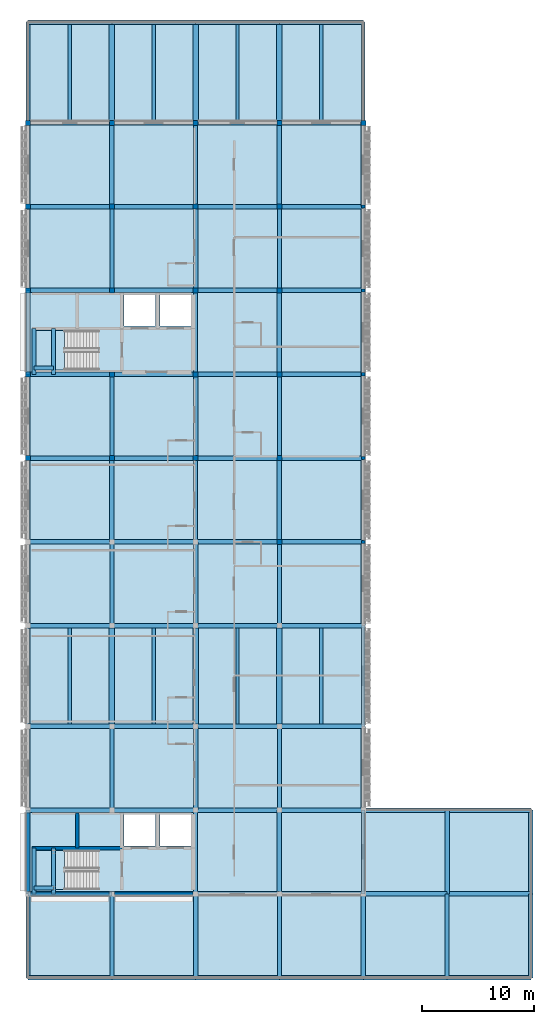
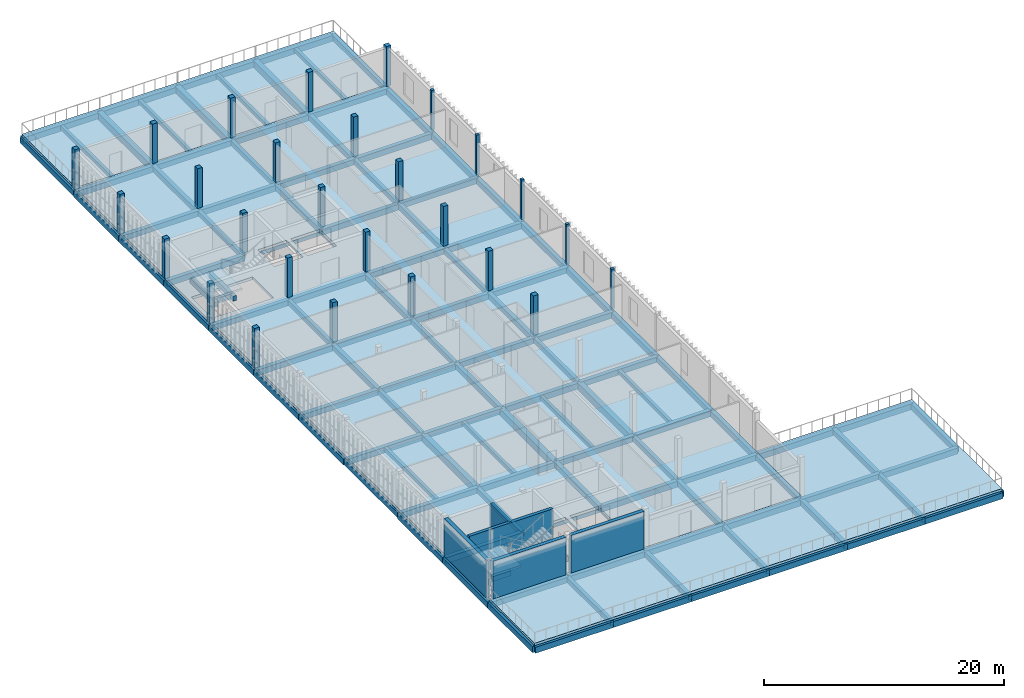
# One storey, part 2 of 13: 126 beams, 27 columns, 5 slabs, 5 walls, 2 elements without a shape of their own.
"""IFC4 building model written with IfcOpenShell, lengths in metres."""

from ifc_helpers import new_model, si_unit, direction, frame, frame_2d, origin, origin_2d, place, context, subcontext, project, spatial, polyline, rectangle, outline, extrude, material, layer, layer_set, material_profile, profile_set, type_object, element, aggregate, save


model = new_model("IFC4")

# Units and contexts
model_context = context("Model", 3, precision=1e-05, world=origin(), true_north=direction((0.0, 1.0)))
body_context = subcontext(model_context, "Body", "Model", "MODEL_VIEW")
ifc_project = project(units=[si_unit("LENGTHUNIT", "METRE"), si_unit("AREAUNIT", "SQUARE_METRE"), si_unit("VOLUMEUNIT", "CUBIC_METRE"), si_unit("PLANEANGLEUNIT", "RADIAN"), si_unit("MASSUNIT", "GRAM", prefix="KILO")], contexts=[model_context])

# Site, building, storey
site_placement = place(None, origin())
site = spatial("IfcSite", under=ifc_project, at=site_placement, CompositionType="ELEMENT")
building_placement = place(site_placement, origin())
building = spatial("IfcBuilding", under=site, at=building_placement, Name="Dalvernix Boulevard General Hospital", CompositionType="ELEMENT")
storey_placement = place(building_placement, frame((0.0, 0.0, 30.0)))
storey = spatial("IfcBuildingStorey", under=building, at=storey_placement, Name="L07", CompositionType="ELEMENT", Elevation=30.0)

# Columns
ifc_material_1 = material(Name="Concrete C40/50", Category="concrete")
ifc_material_profile_1 = material_profile(ifc_material_1, rectangle(XDim=0.449951171875, YDim=0.449951171875, at=origin_2d()), Name="RC 450x450")
ifc_profile_set_1 = profile_set([ifc_material_profile_1], Name="Concrete C40/50")
column_type_1 = type_object("IfcColumnType", Name="COL-C-10-E", PredefinedType="COLUMN", material=ifc_profile_set_1)
for number, where, z_axis, x_axis, name in (
    (1, (0.0, 46.5, 0.0), (0.0, 0.0, 1.0), (1.0, 0.0, 0.0), "L07 column 1G"),
    (2, (0.0, 54.0, 0.0), (0.0, 0.0, 1.0), (1.0, 0.0, 0.0), "L07 column 1H"),
    (3, (0.0, 61.5, 0.0), (0.0, 0.0, 1.0), (1.0, 0.0, 0.0), "L07 column 1J"),
    (4, (0.0, 69.0, 0.0), (0.0, 0.0, 1.0), (1.0, 0.0, 0.0), "L07 column 1K"),
    (5, (0.0, 76.5, 0.0), (0.0, 0.0, 1.0), (1.0, 0.0, 0.0), "L07 column 1L"),
    (6, (7.5, 76.5, 0.0), (0.0, 0.0, 1.0), (1.0, 0.0, 0.0), "L07 column 2L"),
    (7, (15.0, 76.5, 0.0), (0.0, 0.0, 1.0), (1.0, 0.0, 0.0), "L07 column 3L"),
    (8, (22.5, 76.5, 0.0), (0.0, 0.0, 1.0), (1.0, 0.0, 0.0), "L07 column 4L"),
    (9, (30.0, 76.5, 0.0), (0.0, 0.0, 1.0), (1.0, 0.0, 0.0), "L07 column 5L"),
):
    element("IfcColumn", number, at=place(storey_placement, frame(where, z_axis=z_axis, x_axis=x_axis)), inside=storey, type_object=column_type_1, Name=name, PredefinedType="COLUMN", context=body_context, shape_type="SweptSolid", body=[
        extrude(rectangle(XDim=0.449951171875, YDim=0.449951171875, at=origin_2d()), origin(), (0.0, 0.0, 1.0), 4.050048828125),
    ])
ifc_material_profile_2 = material_profile(ifc_material_1, rectangle(XDim=0.449951171875, YDim=0.449951171875, at=origin_2d()), Name="RC 450x450")
ifc_profile_set_2 = profile_set([ifc_material_profile_2], Name="Concrete C40/50")
column_type_2 = type_object("IfcColumnType", Name="COL-C-10-I", PredefinedType="COLUMN", material=ifc_profile_set_2)
for number, where, z_axis, x_axis, name in (
    (10, (7.5, 46.5, 0.0), (0.0, 0.0, 1.0), (1.0, 0.0, 0.0), "L07 column 2G"),
    (11, (7.5, 54.0, 0.0), (0.0, 0.0, 1.0), (1.0, 0.0, 0.0), "L07 column 2H"),
    (12, (7.5, 61.5, 0.0), (0.0, 0.0, 1.0), (1.0, 0.0, 0.0), "L07 column 2J"),
    (13, (7.5, 69.0, 0.0), (0.0, 0.0, 1.0), (1.0, 0.0, 0.0), "L07 column 2K"),
    (14, (15.0, 46.5, 0.0), (0.0, 0.0, 1.0), (1.0, 0.0, 0.0), "L07 column 3G"),
    (15, (15.0, 54.0, 0.0), (0.0, 0.0, 1.0), (1.0, 0.0, 0.0), "L07 column 3H"),
    (16, (15.0, 61.5, 0.0), (0.0, 0.0, 1.0), (1.0, 0.0, 0.0), "L07 column 3J"),
    (17, (15.0, 69.0, 0.0), (0.0, 0.0, 1.0), (1.0, 0.0, 0.0), "L07 column 3K"),
    (18, (22.5, 39.0, 0.0), (0.0, 0.0, 1.0), (1.0, 0.0, 0.0), "L07 column 4F"),
    (19, (22.5, 46.5, 0.0), (0.0, 0.0, 1.0), (1.0, 0.0, 0.0), "L07 column 4G"),
    (20, (22.5, 54.0, 0.0), (0.0, 0.0, 1.0), (1.0, 0.0, 0.0), "L07 column 4H"),
    (21, (22.5, 61.5, 0.0), (0.0, 0.0, 1.0), (1.0, 0.0, 0.0), "L07 column 4J"),
    (22, (22.5, 69.0, 0.0), (0.0, 0.0, 1.0), (1.0, 0.0, 0.0), "L07 column 4K"),
):
    element("IfcColumn", number, at=place(storey_placement, frame(where, z_axis=z_axis, x_axis=x_axis)), inside=storey, type_object=column_type_2, Name=name, PredefinedType="COLUMN", context=body_context, shape_type="SweptSolid", body=[
        extrude(rectangle(XDim=0.449951171875, YDim=0.449951171875, at=origin_2d()), origin(), (0.0, 0.0, 1.0), 4.050048828125),
    ])
ifc_material_2 = material(Name="Glulam GL28h", Category="wood")
ifc_material_profile_3 = material_profile(ifc_material_2, rectangle(XDim=0.280029296875, YDim=0.280029296875, at=origin_2d()), Name="GL28h 280x280")
ifc_profile_set_3 = profile_set([ifc_material_profile_3], Name="Glulam GL28h")
column_type_3 = type_object("IfcColumnType", Name="COL-C-21-E", PredefinedType="COLUMN", material=ifc_profile_set_3)
for number, where, z_axis, x_axis, name in (
    (23, (30.0, 39.0, 0.0), (0.0, 0.0, 1.0), (1.0, 0.0, 0.0), "L07 column 5F"),
    (24, (30.0, 46.5, 0.0), (0.0, 0.0, 1.0), (1.0, 0.0, 0.0), "L07 column 5G"),
    (25, (30.0, 54.0, 0.0), (0.0, 0.0, 1.0), (1.0, 0.0, 0.0), "L07 column 5H"),
    (26, (30.0, 61.5, 0.0), (0.0, 0.0, 1.0), (1.0, 0.0, 0.0), "L07 column 5J"),
    (27, (30.0, 69.0, 0.0), (0.0, 0.0, 1.0), (1.0, 0.0, 0.0), "L07 column 5K"),
):
    element("IfcColumn", number, at=place(storey_placement, frame(where, z_axis=z_axis, x_axis=x_axis)), inside=storey, type_object=column_type_3, Name=name, PredefinedType="COLUMN", context=body_context, shape_type="SweptSolid", body=[
        extrude(rectangle(XDim=0.280029296875, YDim=0.280029296875, at=origin_2d()), origin(), (0.0, 0.0, 1.0), 4.050048828125),
    ])

# Beams
ifc_material_3 = material(Name="Concrete C35/45", Category="concrete")
ifc_material_profile_4 = material_profile(ifc_material_3, rectangle(XDim=0.5, YDim=0.699951171875, at=origin_2d()), Name="RCB 500x700")
ifc_profile_set_4 = profile_set([ifc_material_profile_4], Name="Concrete C35/45")
beam_type_1 = type_object("IfcBeamType", Name="BM-B-01-I", PredefinedType="BEAM", material=ifc_profile_set_4)
for number, where, z_axis, x_axis, name in (
    (28, (7.5, 22.5, -0.6298828125), (0.0, 1.0, 0.0), (-1.0, 0.0, 0.0), "L07 N-S girder 2:D-E"),
    (29, (7.5, 76.5, -0.6298828125), (0.0, 1.0, 0.0), (-1.0, 0.0, 0.0), "L07 N-S girder 2:L-M"),
    (30, (15.0, 22.5, -0.6298828125), (0.0, 1.0, 0.0), (-1.0, 0.0, 0.0), "L07 N-S girder 3:D-E"),
    (31, (15.0, 76.5, -0.6298828125), (0.0, 1.0, 0.0), (-1.0, 0.0, 0.0), "L07 N-S girder 3:L-M"),
    (32, (22.5, 22.5, -0.6298828125), (0.0, 1.0, 0.0), (-1.0, 0.0, 0.0), "L07 N-S girder 4:D-E"),
    (33, (22.5, 76.5, -0.6298828125), (0.0, 1.0, 0.0), (-1.0, 0.0, 0.0), "L07 N-S girder 4:L-M"),
):
    element("IfcBeam", number, at=place(storey_placement, frame(where, z_axis=z_axis, x_axis=x_axis)), inside=storey, type_object=beam_type_1, Name=name, PredefinedType="BEAM", context=body_context, shape_type="SweptSolid", body=[
        extrude(rectangle(XDim=0.5, YDim=0.699951171875, at=origin_2d()), origin(), (0.0, 0.0, 1.0), 9.0),
    ])
ifc_material_profile_5 = material_profile(ifc_material_3, rectangle(XDim=0.39990234375, YDim=0.60009765625, at=origin_2d()), Name="RCB 400x600")
ifc_profile_set_5 = profile_set([ifc_material_profile_5], Name="Concrete C35/45")
beam_type_2 = type_object("IfcBeamType", Name="BM-B-05-I", PredefinedType="BEAM", material=ifc_profile_set_5)
for number, where, z_axis, x_axis, name in (
    (34, (7.5, 7.5, -0.580078125), (1.0, 0.0, 0.0), (0.0, 1.0, 0.0), "L07 E-W girder B:2-3"),
    (35, (22.5, 7.5, -0.580078125), (1.0, 0.0, 0.0), (0.0, 1.0, 0.0), "L07 E-W girder B:4-5"),
    (36, (37.5, 7.5, -0.580078125), (1.0, 0.0, 0.0), (0.0, 1.0, 0.0), "L07 E-W girder B:6-7"),
    (37, (0.0, 15.0, -0.580078125), (1.0, 0.0, 0.0), (0.0, 1.0, 0.0), "L07 E-W girder C:1-2"),
    (38, (15.0, 15.0, -0.580078125), (1.0, 0.0, 0.0), (0.0, 1.0, 0.0), "L07 E-W girder C:3-4"),
    (39, (7.5, 22.5, -0.580078125), (1.0, 0.0, 0.0), (0.0, 1.0, 0.0), "L07 E-W girder D:2-3"),
    (40, (22.5, 22.5, -0.580078125), (1.0, 0.0, 0.0), (0.0, 1.0, 0.0), "L07 E-W girder D:4-5"),
    (41, (0.0, 31.5, -0.580078125), (1.0, 0.0, 0.0), (0.0, 1.0, 0.0), "L07 E-W girder E:1-2"),
    (42, (15.0, 31.5, -0.580078125), (1.0, 0.0, 0.0), (0.0, 1.0, 0.0), "L07 E-W girder E:3-4"),
    (43, (7.5, 39.0, -0.580078125), (1.0, 0.0, 0.0), (0.0, 1.0, 0.0), "L07 E-W girder F:2-3"),
    (44, (22.5, 39.0, -0.580078125), (1.0, 0.0, 0.0), (0.0, 1.0, 0.0), "L07 E-W girder F:4-5"),
    (45, (0.0, 46.5, -0.580078125), (1.0, 0.0, 0.0), (0.0, 1.0, 0.0), "L07 E-W girder G:1-2"),
    (46, (15.0, 46.5, -0.580078125), (1.0, 0.0, 0.0), (0.0, 1.0, 0.0), "L07 E-W girder G:3-4"),
    (47, (7.5, 54.0, -0.580078125), (1.0, 0.0, 0.0), (0.0, 1.0, 0.0), "L07 E-W girder H:2-3"),
    (48, (22.5, 54.0, -0.580078125), (1.0, 0.0, 0.0), (0.0, 1.0, 0.0), "L07 E-W girder H:4-5"),
    (49, (0.0, 61.5, -0.580078125), (1.0, 0.0, 0.0), (0.0, 1.0, 0.0), "L07 E-W girder J:1-2"),
    (50, (15.0, 61.5, -0.580078125), (1.0, 0.0, 0.0), (0.0, 1.0, 0.0), "L07 E-W girder J:3-4"),
    (51, (7.5, 69.0, -0.580078125), (1.0, 0.0, 0.0), (0.0, 1.0, 0.0), "L07 E-W girder K:2-3"),
    (52, (22.5, 69.0, -0.580078125), (1.0, 0.0, 0.0), (0.0, 1.0, 0.0), "L07 E-W girder K:4-5"),
    (53, (0.0, 76.5, -0.580078125), (1.0, 0.0, 0.0), (0.0, 1.0, 0.0), "L07 E-W girder L:1-2"),
    (54, (15.0, 76.5, -0.580078125), (1.0, 0.0, 0.0), (0.0, 1.0, 0.0), "L07 E-W girder L:3-4"),
):
    element("IfcBeam", number, at=place(storey_placement, frame(where, z_axis=z_axis, x_axis=x_axis)), inside=storey, type_object=beam_type_2, Name=name, PredefinedType="BEAM", context=body_context, shape_type="SweptSolid", body=[
        extrude(rectangle(XDim=0.39990234375, YDim=0.60009765625, at=origin_2d()), origin(), (0.0, 0.0, 1.0), 7.5),
    ])
ifc_material_profile_6 = material_profile(ifc_material_3, rectangle(XDim=0.39990234375, YDim=0.550048828125, at=origin_2d()), Name="RCB 400x550")
ifc_profile_set_6 = profile_set([ifc_material_profile_6], Name="Concrete C35/45")
beam_type_3 = type_object("IfcBeamType", Name="BM-B-06-I", PredefinedType="BEAM", material=ifc_profile_set_6)
for number, where, z_axis, x_axis, name in (
    (55, (0.0, 7.5, -0.554931640625), (1.0, 0.0, 0.0), (0.0, 1.0, 0.0), "L07 E-W girder B:1-2"),
    (56, (15.0, 7.5, -0.554931640625), (1.0, 0.0, 0.0), (0.0, 1.0, 0.0), "L07 E-W girder B:3-4"),
    (57, (30.0, 7.5, -0.554931640625), (1.0, 0.0, 0.0), (0.0, 1.0, 0.0), "L07 E-W girder B:5-6"),
    (58, (7.5, 15.0, -0.554931640625), (1.0, 0.0, 0.0), (0.0, 1.0, 0.0), "L07 E-W girder C:2-3"),
    (59, (22.5, 15.0, -0.554931640625), (1.0, 0.0, 0.0), (0.0, 1.0, 0.0), "L07 E-W girder C:4-5"),
    (60, (0.0, 22.5, -0.554931640625), (1.0, 0.0, 0.0), (0.0, 1.0, 0.0), "L07 E-W girder D:1-2"),
    (61, (15.0, 22.5, -0.554931640625), (1.0, 0.0, 0.0), (0.0, 1.0, 0.0), "L07 E-W girder D:3-4"),
    (62, (7.5, 31.5, -0.554931640625), (1.0, 0.0, 0.0), (0.0, 1.0, 0.0), "L07 E-W girder E:2-3"),
    (63, (22.5, 31.5, -0.554931640625), (1.0, 0.0, 0.0), (0.0, 1.0, 0.0), "L07 E-W girder E:4-5"),
    (64, (0.0, 39.0, -0.554931640625), (1.0, 0.0, 0.0), (0.0, 1.0, 0.0), "L07 E-W girder F:1-2"),
    (65, (15.0, 39.0, -0.554931640625), (1.0, 0.0, 0.0), (0.0, 1.0, 0.0), "L07 E-W girder F:3-4"),
    (66, (7.5, 46.5, -0.554931640625), (1.0, 0.0, 0.0), (0.0, 1.0, 0.0), "L07 E-W girder G:2-3"),
    (67, (22.5, 46.5, -0.554931640625), (1.0, 0.0, 0.0), (0.0, 1.0, 0.0), "L07 E-W girder G:4-5"),
    (68, (0.0, 54.0, -0.554931640625), (1.0, 0.0, 0.0), (0.0, 1.0, 0.0), "L07 E-W girder H:1-2"),
    (69, (15.0, 54.0, -0.554931640625), (1.0, 0.0, 0.0), (0.0, 1.0, 0.0), "L07 E-W girder H:3-4"),
    (70, (7.5, 61.5, -0.554931640625), (1.0, 0.0, 0.0), (0.0, 1.0, 0.0), "L07 E-W girder J:2-3"),
    (71, (22.5, 61.5, -0.554931640625), (1.0, 0.0, 0.0), (0.0, 1.0, 0.0), "L07 E-W girder J:4-5"),
    (72, (0.0, 69.0, -0.554931640625), (1.0, 0.0, 0.0), (0.0, 1.0, 0.0), "L07 E-W girder K:1-2"),
    (73, (15.0, 69.0, -0.554931640625), (1.0, 0.0, 0.0), (0.0, 1.0, 0.0), "L07 E-W girder K:3-4"),
    (74, (7.5, 76.5, -0.554931640625), (1.0, 0.0, 0.0), (0.0, 1.0, 0.0), "L07 E-W girder L:2-3"),
    (75, (22.5, 76.5, -0.554931640625), (1.0, 0.0, 0.0), (0.0, 1.0, 0.0), "L07 E-W girder L:4-5"),
    (76, (7.5, 39.0, -0.554931640625), (0.0, 1.0, 0.0), (-1.0, 0.0, 0.0), "L07 N-S girder 2:F-G"),
    (77, (7.5, 69.0, -0.554931640625), (0.0, 1.0, 0.0), (-1.0, 0.0, 0.0), "L07 N-S girder 2:K-L"),
    (78, (15.0, 0.0, -0.554931640625), (0.0, 1.0, 0.0), (-1.0, 0.0, 0.0), "L07 N-S girder 3:A-B"),
    (79, (15.0, 15.0, -0.554931640625), (0.0, 1.0, 0.0), (-1.0, 0.0, 0.0), "L07 N-S girder 3:C-D"),
    (80, (15.0, 31.5, -0.554931640625), (0.0, 1.0, 0.0), (-1.0, 0.0, 0.0), "L07 N-S girder 3:E-F"),
    (81, (15.0, 46.5, -0.554931640625), (0.0, 1.0, 0.0), (-1.0, 0.0, 0.0), "L07 N-S girder 3:G-H"),
    (82, (15.0, 61.5, -0.554931640625), (0.0, 1.0, 0.0), (-1.0, 0.0, 0.0), "L07 N-S girder 3:J-K"),
    (83, (22.5, 7.5, -0.554931640625), (0.0, 1.0, 0.0), (-1.0, 0.0, 0.0), "L07 N-S girder 4:B-C"),
    (84, (22.5, 39.0, -0.554931640625), (0.0, 1.0, 0.0), (-1.0, 0.0, 0.0), "L07 N-S girder 4:F-G"),
    (85, (22.5, 54.0, -0.554931640625), (0.0, 1.0, 0.0), (-1.0, 0.0, 0.0), "L07 N-S girder 4:H-J"),
    (86, (22.5, 69.0, -0.554931640625), (0.0, 1.0, 0.0), (-1.0, 0.0, 0.0), "L07 N-S girder 4:K-L"),
    (87, (30.0, 0.0, -0.554931640625), (0.0, 1.0, 0.0), (-1.0, 0.0, 0.0), "L07 N-S girder 5:A-B"),
    (88, (37.5, 7.5, -0.554931640625), (0.0, 1.0, 0.0), (-1.0, 0.0, 0.0), "L07 N-S girder 6:B-C"),
):
    element("IfcBeam", number, at=place(storey_placement, frame(where, z_axis=z_axis, x_axis=x_axis)), inside=storey, type_object=beam_type_3, Name=name, PredefinedType="BEAM", context=body_context, shape_type="SweptSolid", body=[
        extrude(rectangle(XDim=0.39990234375, YDim=0.550048828125, at=origin_2d()), origin(), (0.0, 0.0, 1.0), 7.5),
    ])
ifc_material_profile_7 = material_profile(ifc_material_3, rectangle(XDim=0.35009765625, YDim=0.5, at=origin_2d()), Name="RCB 350x500")
ifc_profile_set_7 = profile_set([ifc_material_profile_7], Name="Concrete C35/45")
beam_type_4 = type_object("IfcBeamType", Name="BM-B-08", PredefinedType="BEAM", material=ifc_profile_set_7)
beam_1_placement = place(storey_placement, frame((0.0, 7.5, 1.574951171875), z_axis=(1.0, 0.0, 0.0), x_axis=(0.0, 1.0, 0.0)))
element("IfcBeam", 89, at=beam_1_placement, inside=storey, type_object=beam_type_4, Name="L07 C1 stair south header beam", PredefinedType="BEAM", context=body_context, shape_type="SweptSolid", body=[
    extrude(rectangle(XDim=0.35009765625, YDim=0.5, at=origin_2d()), origin(), (0.0, 0.0, 1.0), 7.5),
])
for number, where, z_axis, x_axis, name in (
    (90, (0.550048828125, 7.5, 1.574951171875), (0.0, 1.0, 0.0), (-1.0, 0.0, 0.0), "L07 C1 stair half-landing beam 1"),
    (91, (2.300048828125, 7.5, 1.574951171875), (0.0, 1.0, 0.0), (-1.0, 0.0, 0.0), "L07 C1 stair half-landing beam 2"),
):
    element("IfcBeam", number, at=place(storey_placement, frame(where, z_axis=z_axis, x_axis=x_axis)), inside=storey, type_object=beam_type_4, Name=name, PredefinedType="BEAM", context=body_context, shape_type="SweptSolid", body=[
        extrude(rectangle(XDim=0.35009765625, YDim=0.5, at=origin_2d()), origin(), (0.0, 0.0, 1.0), 4.10009765625),
    ])
beam_2_placement = place(storey_placement, frame((0.550048828125, 8.050048828125, 1.574951171875), z_axis=(1.0, 0.0, 0.0), x_axis=(0.0, 1.0, 0.0)))
element("IfcBeam", 92, at=beam_2_placement, inside=storey, type_object=beam_type_4, Name="L07 C1 stair half-landing tie beam", PredefinedType="BEAM", context=body_context, shape_type="SweptSolid", body=[
    extrude(rectangle(XDim=0.35009765625, YDim=0.5, at=origin_2d()), origin(), (0.0, 0.0, 1.0), 1.75),
])
for number, where, z_axis, x_axis, name in (
    (93, (0.550048828125, 54.0, 1.574951171875), (0.0, 1.0, 0.0), (-1.0, 0.0, 0.0), "L07 C2 stair half-landing beam 1"),
    (94, (2.300048828125, 54.0, 1.574951171875), (0.0, 1.0, 0.0), (-1.0, 0.0, 0.0), "L07 C2 stair half-landing beam 2"),
):
    element("IfcBeam", number, at=place(storey_placement, frame(where, z_axis=z_axis, x_axis=x_axis)), inside=storey, type_object=beam_type_4, Name=name, PredefinedType="BEAM", context=body_context, shape_type="SweptSolid", body=[
        extrude(rectangle(XDim=0.35009765625, YDim=0.5, at=origin_2d()), origin(), (0.0, 0.0, 1.0), 4.10009765625),
    ])
beam_3_placement = place(storey_placement, frame((0.550048828125, 54.550048828125, 1.574951171875), z_axis=(1.0, 0.0, 0.0), x_axis=(0.0, 1.0, 0.0)))
element("IfcBeam", 95, at=beam_3_placement, inside=storey, type_object=beam_type_4, Name="L07 C2 stair half-landing tie beam", PredefinedType="BEAM", context=body_context, shape_type="SweptSolid", body=[
    extrude(rectangle(XDim=0.35009765625, YDim=0.5, at=origin_2d()), origin(), (0.0, 0.0, 1.0), 1.75),
])
ifc_material_profile_8 = material_profile(ifc_material_3, rectangle(XDim=0.35009765625, YDim=0.5, at=origin_2d()), Name="RCB 350x500")
ifc_profile_set_8 = profile_set([ifc_material_profile_8], Name="Concrete C35/45")
beam_type_5 = type_object("IfcBeamType", Name="BM-B-08-I", PredefinedType="BEAM", material=ifc_profile_set_8)
for number, where, z_axis, x_axis, name in (
    (96, (7.5, 0.0, -0.530029296875), (0.0, 1.0, 0.0), (-1.0, 0.0, 0.0), "L07 N-S girder 2:A-B"),
    (97, (7.5, 15.0, -0.530029296875), (0.0, 1.0, 0.0), (-1.0, 0.0, 0.0), "L07 N-S girder 2:C-D"),
    (98, (7.5, 31.5, -0.530029296875), (0.0, 1.0, 0.0), (-1.0, 0.0, 0.0), "L07 N-S girder 2:E-F"),
    (99, (7.5, 46.5, -0.530029296875), (0.0, 1.0, 0.0), (-1.0, 0.0, 0.0), "L07 N-S girder 2:G-H"),
    (100, (7.5, 61.5, -0.530029296875), (0.0, 1.0, 0.0), (-1.0, 0.0, 0.0), "L07 N-S girder 2:J-K"),
    (101, (15.0, 7.5, -0.530029296875), (0.0, 1.0, 0.0), (-1.0, 0.0, 0.0), "L07 N-S girder 3:B-C"),
    (102, (15.0, 39.0, -0.530029296875), (0.0, 1.0, 0.0), (-1.0, 0.0, 0.0), "L07 N-S girder 3:F-G"),
    (103, (15.0, 54.0, -0.530029296875), (0.0, 1.0, 0.0), (-1.0, 0.0, 0.0), "L07 N-S girder 3:H-J"),
    (104, (15.0, 69.0, -0.530029296875), (0.0, 1.0, 0.0), (-1.0, 0.0, 0.0), "L07 N-S girder 3:K-L"),
    (105, (22.5, 0.0, -0.530029296875), (0.0, 1.0, 0.0), (-1.0, 0.0, 0.0), "L07 N-S girder 4:A-B"),
    (106, (22.5, 15.0, -0.530029296875), (0.0, 1.0, 0.0), (-1.0, 0.0, 0.0), "L07 N-S girder 4:C-D"),
    (107, (22.5, 31.5, -0.530029296875), (0.0, 1.0, 0.0), (-1.0, 0.0, 0.0), "L07 N-S girder 4:E-F"),
    (108, (22.5, 46.5, -0.530029296875), (0.0, 1.0, 0.0), (-1.0, 0.0, 0.0), "L07 N-S girder 4:G-H"),
    (109, (22.5, 61.5, -0.530029296875), (0.0, 1.0, 0.0), (-1.0, 0.0, 0.0), "L07 N-S girder 4:J-K"),
    (110, (30.0, 7.5, -0.530029296875), (0.0, 1.0, 0.0), (-1.0, 0.0, 0.0), "L07 N-S girder 5:B-C"),
    (111, (37.5, 0.0, -0.530029296875), (0.0, 1.0, 0.0), (-1.0, 0.0, 0.0), "L07 N-S girder 6:A-B"),
):
    element("IfcBeam", number, at=place(storey_placement, frame(where, z_axis=z_axis, x_axis=x_axis)), inside=storey, type_object=beam_type_5, Name=name, PredefinedType="BEAM", context=body_context, shape_type="SweptSolid", body=[
        extrude(rectangle(XDim=0.35009765625, YDim=0.5, at=origin_2d()), origin(), (0.0, 0.0, 1.0), 7.5),
    ])
ifc_material_profile_9 = material_profile(ifc_material_3, rectangle(XDim=0.300048828125, YDim=0.39990234375, at=origin_2d()), Name="RCB 300x400")
ifc_profile_set_9 = profile_set([ifc_material_profile_9], Name="Concrete C35/45")
beam_type_6 = type_object("IfcBeamType", Name="BM-JB-01", PredefinedType="JOIST", material=ifc_profile_set_9)
for number, where, z_axis, x_axis, name in (
    (112, (3.75, 22.699951171875, -0.47998046875), (0.0, 1.0, 0.0), (-1.0, 0.0, 0.0), "L07 secondary floor beam 1-D"),
    (113, (3.75, 76.699951171875, -0.47998046875), (0.0, 1.0, 0.0), (-1.0, 0.0, 0.0), "L07 secondary floor beam 1-L"),
    (114, (11.25, 22.699951171875, -0.47998046875), (0.0, 1.0, 0.0), (-1.0, 0.0, 0.0), "L07 secondary floor beam 2-D"),
    (115, (11.25, 76.699951171875, -0.47998046875), (0.0, 1.0, 0.0), (-1.0, 0.0, 0.0), "L07 secondary floor beam 2-L"),
    (116, (18.75, 22.699951171875, -0.47998046875), (0.0, 1.0, 0.0), (-1.0, 0.0, 0.0), "L07 secondary floor beam 3-D"),
    (117, (18.75, 76.699951171875, -0.47998046875), (0.0, 1.0, 0.0), (-1.0, 0.0, 0.0), "L07 secondary floor beam 3-L"),
    (118, (26.25, 22.699951171875, -0.47998046875), (0.0, 1.0, 0.0), (-1.0, 0.0, 0.0), "L07 secondary floor beam 4-D"),
    (119, (26.25, 76.699951171875, -0.47998046875), (0.0, 1.0, 0.0), (-1.0, 0.0, 0.0), "L07 secondary floor beam 4-L"),
):
    element("IfcBeam", number, at=place(storey_placement, frame(where, z_axis=z_axis, x_axis=x_axis)), inside=storey, type_object=beam_type_6, Name=name, PredefinedType="JOIST", context=body_context, shape_type="SweptSolid", body=[
        extrude(rectangle(XDim=0.300048828125, YDim=0.39990234375, at=origin_2d()), origin(), (0.0, 0.0, 1.0), 8.60009765625),
    ])
ifc_material_profile_10 = material_profile(ifc_material_3, rectangle(XDim=0.35009765625, YDim=0.550048828125, at=origin_2d()), Name="RCB 350x550")
ifc_profile_set_10 = profile_set([ifc_material_profile_10], Name="Concrete C35/45")
beam_type_7 = type_object("IfcBeamType", Name="BM-SB-01-E", PredefinedType="SPANDREL", material=ifc_profile_set_10)
for number, where, z_axis, x_axis, name in (
    (120, (0.0, 22.5, -0.554931640625), (0.0, 1.0, 0.0), (-1.0, 0.0, 0.0), "L07 N-S girder 1:D-E"),
    (121, (0.0, 76.5, -0.554931640625), (0.0, 1.0, 0.0), (-1.0, 0.0, 0.0), "L07 N-S girder 1:L-M"),
    (122, (30.0, 22.5, -0.554931640625), (0.0, 1.0, 0.0), (-1.0, 0.0, 0.0), "L07 N-S girder 5:D-E"),
    (123, (30.0, 76.5, -0.554931640625), (0.0, 1.0, 0.0), (-1.0, 0.0, 0.0), "L07 N-S girder 5:L-M"),
):
    element("IfcBeam", number, at=place(storey_placement, frame(where, z_axis=z_axis, x_axis=x_axis)), inside=storey, type_object=beam_type_7, Name=name, PredefinedType="SPANDREL", context=body_context, shape_type="SweptSolid", body=[
        extrude(rectangle(XDim=0.35009765625, YDim=0.550048828125, at=origin_2d()), origin(), (0.0, 0.0, 1.0), 9.0),
    ])
ifc_material_profile_11 = material_profile(ifc_material_3, rectangle(XDim=0.39990234375, YDim=0.60009765625, at=origin_2d()), Name="RCB 400x600")
ifc_profile_set_11 = profile_set([ifc_material_profile_11], Name="Concrete C35/45")
beam_type_8 = type_object("IfcBeamType", Name="BM-SB-02-E", PredefinedType="SPANDREL", material=ifc_profile_set_11)
for number, where, z_axis, x_axis, name in (
    (124, (0.0, 0.0, -0.580078125), (1.0, 0.0, 0.0), (0.0, 1.0, 0.0), "L07 E-W girder A:1-2"),
    (125, (7.5, 0.0, -0.580078125), (1.0, 0.0, 0.0), (0.0, 1.0, 0.0), "L07 E-W girder A:2-3"),
    (126, (15.0, 0.0, -0.580078125), (1.0, 0.0, 0.0), (0.0, 1.0, 0.0), "L07 E-W girder A:3-4"),
    (127, (22.5, 0.0, -0.580078125), (1.0, 0.0, 0.0), (0.0, 1.0, 0.0), "L07 E-W girder A:4-5"),
    (128, (30.0, 0.0, -0.580078125), (1.0, 0.0, 0.0), (0.0, 1.0, 0.0), "L07 E-W girder A:5-6"),
    (129, (37.5, 0.0, -0.580078125), (1.0, 0.0, 0.0), (0.0, 1.0, 0.0), "L07 E-W girder A:6-7"),
    (130, (30.0, 15.0, -0.580078125), (1.0, 0.0, 0.0), (0.0, 1.0, 0.0), "L07 E-W girder C:5-6"),
    (131, (37.5, 15.0, -0.580078125), (1.0, 0.0, 0.0), (0.0, 1.0, 0.0), "L07 E-W girder C:6-7"),
    (132, (0.0, 85.5, -0.580078125), (1.0, 0.0, 0.0), (0.0, 1.0, 0.0), "L07 E-W girder M:1-2"),
    (133, (7.5, 85.5, -0.580078125), (1.0, 0.0, 0.0), (0.0, 1.0, 0.0), "L07 E-W girder M:2-3"),
    (134, (15.0, 85.5, -0.580078125), (1.0, 0.0, 0.0), (0.0, 1.0, 0.0), "L07 E-W girder M:3-4"),
    (135, (22.5, 85.5, -0.580078125), (1.0, 0.0, 0.0), (0.0, 1.0, 0.0), "L07 E-W girder M:4-5"),
    (136, (0.0, 0.0, -0.580078125), (0.0, 1.0, 0.0), (-1.0, 0.0, 0.0), "L07 N-S girder 1:A-B"),
    (137, (0.0, 7.5, -0.580078125), (0.0, 1.0, 0.0), (-1.0, 0.0, 0.0), "L07 N-S girder 1:B-C"),
    (138, (0.0, 15.0, -0.580078125), (0.0, 1.0, 0.0), (-1.0, 0.0, 0.0), "L07 N-S girder 1:C-D"),
    (139, (0.0, 31.5, -0.580078125), (0.0, 1.0, 0.0), (-1.0, 0.0, 0.0), "L07 N-S girder 1:E-F"),
    (140, (0.0, 39.0, -0.580078125), (0.0, 1.0, 0.0), (-1.0, 0.0, 0.0), "L07 N-S girder 1:F-G"),
    (141, (0.0, 46.5, -0.580078125), (0.0, 1.0, 0.0), (-1.0, 0.0, 0.0), "L07 N-S girder 1:G-H"),
    (142, (0.0, 54.0, -0.580078125), (0.0, 1.0, 0.0), (-1.0, 0.0, 0.0), "L07 N-S girder 1:H-J"),
    (143, (0.0, 61.5, -0.580078125), (0.0, 1.0, 0.0), (-1.0, 0.0, 0.0), "L07 N-S girder 1:J-K"),
    (144, (0.0, 69.0, -0.580078125), (0.0, 1.0, 0.0), (-1.0, 0.0, 0.0), "L07 N-S girder 1:K-L"),
    (145, (30.0, 15.0, -0.580078125), (0.0, 1.0, 0.0), (-1.0, 0.0, 0.0), "L07 N-S girder 5:C-D"),
    (146, (30.0, 31.5, -0.580078125), (0.0, 1.0, 0.0), (-1.0, 0.0, 0.0), "L07 N-S girder 5:E-F"),
    (147, (30.0, 39.0, -0.580078125), (0.0, 1.0, 0.0), (-1.0, 0.0, 0.0), "L07 N-S girder 5:F-G"),
    (148, (30.0, 46.5, -0.580078125), (0.0, 1.0, 0.0), (-1.0, 0.0, 0.0), "L07 N-S girder 5:G-H"),
    (149, (30.0, 54.0, -0.580078125), (0.0, 1.0, 0.0), (-1.0, 0.0, 0.0), "L07 N-S girder 5:H-J"),
    (150, (30.0, 61.5, -0.580078125), (0.0, 1.0, 0.0), (-1.0, 0.0, 0.0), "L07 N-S girder 5:J-K"),
    (151, (30.0, 69.0, -0.580078125), (0.0, 1.0, 0.0), (-1.0, 0.0, 0.0), "L07 N-S girder 5:K-L"),
    (152, (45.0, 0.0, -0.580078125), (0.0, 1.0, 0.0), (-1.0, 0.0, 0.0), "L07 N-S girder 7:A-B"),
    (153, (45.0, 7.5, -0.580078125), (0.0, 1.0, 0.0), (-1.0, 0.0, 0.0), "L07 N-S girder 7:B-C"),
):
    element("IfcBeam", number, at=place(storey_placement, frame(where, z_axis=z_axis, x_axis=x_axis)), inside=storey, type_object=beam_type_8, Name=name, PredefinedType="SPANDREL", context=body_context, shape_type="SweptSolid", body=[
        extrude(rectangle(XDim=0.39990234375, YDim=0.60009765625, at=origin_2d()), origin(), (0.0, 0.0, 1.0), 7.5),
    ])

# Slab
ifc_layer_1 = layer(ifc_material_3, 0.280029296875)
ifc_layer_set_1 = layer_set([ifc_layer_1], Name="Concrete C35/45 (SLB-FS-04)")
slab_type_1 = type_object("IfcSlabType", Name="SLB-FS-04", PredefinedType="FLOOR", material=ifc_layer_set_1)
slab_1_placement = place(storey_placement, frame((0.0, 0.0, -0.280029296875)))
element("IfcSlab", 154, at=slab_1_placement, inside=storey, type_object=slab_type_1, Name="L07 V4 structural floor slab 1", PredefinedType="FLOOR", context=body_context, shape_type="SweptSolid", body=[
    extrude(outline(polyline([(0.0, 61.5), (0.0, 69.0), (0.0, 76.5), (7.5, 76.5), (15.0, 76.5), (22.5, 76.5), (30.0, 76.5), (30.0, 69.0), (30.0, 61.5), (30.0, 54.0), (30.0, 46.5), (30.0, 39.0), (30.0, 31.5), (30.0, 22.5), (30.0, 15.0), (30.0, 7.5), (22.5, 7.5), (15.0, 7.5), (7.5, 7.5), (0.0, 7.5), (0.0, 15.0), (0.0, 22.5), (0.0, 31.5), (0.0, 39.0), (0.0, 46.5), (0.0, 54.0), (0.0, 61.5)]), holes=[polyline([(0.39990234375, 11.39990234375), (0.39990234375, 7.89990234375), (6.2900390625, 7.89990234375), (6.2900390625, 11.39990234375), (0.39990234375, 11.39990234375)]), polyline([(11.39990234375, 14.60009765625), (8.60009765625, 14.60009765625), (8.60009765625, 11.800048828125), (11.39990234375, 11.800048828125), (11.39990234375, 14.60009765625)]), polyline([(14.60009765625, 11.800048828125), (14.60009765625, 14.60009765625), (11.800048828125, 14.60009765625), (11.800048828125, 11.800048828125), (14.60009765625, 11.800048828125)]), polyline([(0.39990234375, 54.39990234375), (6.2900390625, 54.39990234375), (6.2900390625, 57.89990234375), (0.39990234375, 57.89990234375), (0.39990234375, 54.39990234375)]), polyline([(8.60009765625, 61.10009765625), (8.60009765625, 58.300048828125), (11.39990234375, 58.300048828125), (11.39990234375, 61.10009765625), (8.60009765625, 61.10009765625)]), polyline([(14.60009765625, 61.10009765625), (11.800048828125, 61.10009765625), (11.800048828125, 58.300048828125), (14.60009765625, 58.300048828125), (14.60009765625, 61.10009765625)])]), origin(), (0.0, 0.0, 1.0), 0.280029296875),
])

# Stair, slab
ifc_material_4 = material(Name="Precast concrete C40/50", Category="concrete")
stair_type = type_object("IfcStairType", Name="IFCSTAIR-STC-165x405", PredefinedType="HALF_TURN_STAIR", material=ifc_material_4)
stair_1_placement = place(storey_placement, origin())
stair_1 = element("IfcStair", 155, at=stair_1_placement, inside=storey, type_object=stair_type, Name="L07 Core C1 Exit Stair ST-01", PredefinedType="HALF_TURN_STAIR")
ifc_layer_2 = layer(ifc_material_4, 0.199951171875)
ifc_layer_set_2 = layer_set([ifc_layer_2], Name="Precast concrete C40/50 (SLB-LND-01)")
slab_type_2 = type_object("IfcSlabType", Name="SLB-LND-01", PredefinedType="LANDING", material=ifc_layer_set_2)
slab_2_placement = place(storey_placement, frame((0.0, 0.0, 1.824951171875)))
slab_2 = element("IfcSlab", 156, at=slab_2_placement, type_object=slab_type_2, Name="ST-01 landing 1", PredefinedType="LANDING", context=body_context, shape_type="SweptSolid", body=[
    extrude(outline(polyline([(3.27001953125, 11.39990234375), (0.39990234375, 11.39990234375), (0.39990234375, 7.89990234375), (3.27001953125, 7.89990234375), (3.27001953125, 11.39990234375)])), origin(), (0.0, 0.0, 1.0), 0.199951171875),
])
aggregate(stair_1, [slab_2])

stair_2_placement = place(storey_placement, origin())
stair_2 = element("IfcStair", 157, at=stair_2_placement, inside=storey, type_object=stair_type, Name="L07 Core C2 Exit Stair ST-02", PredefinedType="HALF_TURN_STAIR")
slab_3_placement = place(storey_placement, frame((0.0, 0.0, 1.824951171875)))
slab_3 = element("IfcSlab", 158, at=slab_3_placement, type_object=slab_type_2, Name="ST-02 landing 1", PredefinedType="LANDING", context=body_context, shape_type="SweptSolid", body=[
    extrude(outline(polyline([(3.27001953125, 57.89990234375), (0.39990234375, 57.89990234375), (0.39990234375, 54.39990234375), (3.27001953125, 54.39990234375), (3.27001953125, 57.89990234375)])), origin(), (0.0, 0.0, 1.0), 0.199951171875),
])
aggregate(stair_2, [slab_3])

# Slabs
ifc_layer_3 = layer(ifc_material_3, 0.239990234375)
ifc_layer_set_3 = layer_set([ifc_layer_3], Name="Concrete C35/45 (SLB-TS-01)")
slab_type_3 = type_object("IfcSlabType", Name="SLB-TS-01", PredefinedType="FLOOR", material=ifc_layer_set_3)
slab_4_placement = place(storey_placement, frame((0.0, 0.0, -0.239990234375)))
element("IfcSlab", 159, at=slab_4_placement, inside=storey, type_object=slab_type_3, Name="L07 walkable ward roof terrace 1", PredefinedType="FLOOR", context=body_context, shape_type="SweptSolid", body=[
    extrude(outline(polyline([(7.5, 7.5), (15.0, 7.5), (22.5, 7.5), (30.0, 7.5), (30.0, 15.0), (37.5, 15.0), (45.0, 15.0), (45.0, 7.5), (45.0, 0.0), (37.5, 0.0), (30.0, 0.0), (22.5, 0.0), (15.0, 0.0), (7.5, 0.0), (0.0, 0.0), (0.0, 7.5), (7.5, 7.5)])), origin(), (0.0, 0.0, 1.0), 0.239990234375),
])
slab_5_placement = place(storey_placement, frame((0.0, 0.0, -0.239990234375)))
element("IfcSlab", 160, at=slab_5_placement, inside=storey, type_object=slab_type_3, Name="L07 walkable ward roof terrace 2", PredefinedType="FLOOR", context=body_context, shape_type="SweptSolid", body=[
    extrude(outline(polyline([(7.5, 85.5), (15.0, 85.5), (22.5, 85.5), (30.0, 85.5), (30.0, 76.5), (22.5, 76.5), (15.0, 76.5), (7.5, 76.5), (0.0, 76.5), (0.0, 85.5), (7.5, 85.5)])), origin(), (0.0, 0.0, 1.0), 0.239990234375),
])

# Walls
ifc_layer_4 = layer(ifc_material_1, 0.300048828125)
ifc_layer_set_4 = layer_set([ifc_layer_4], Name="Concrete C40/50 (WAL-CSW-02)")
wall_type_1 = type_object("IfcWallType", Name="WAL-CSW-02", PredefinedType="SHEAR", material=ifc_layer_set_4)
wall_1_placement = place(storey_placement, frame((0.35009765625, 11.60009765625, 0.0), z_axis=(0.0, 0.0, 1.0), x_axis=(1.0, 0.0, 0.0)))
element("IfcWall", 161, at=wall_1_placement, inside=storey, type_object=wall_type_1, Name="L07 C1 riser spine wall", PredefinedType="SHEAR", context=body_context, shape_type="SweptSolid", body=[
    extrude(rectangle(XDim=8.0498046875, YDim=0.300048828125, at=frame_2d((4.02490234375, 0.0))), origin(), (0.0, 0.0, 1.0), 3.830078125),
])
wall_2_placement = place(storey_placement, frame((4.39990234375, 11.60009765625, 0.0), z_axis=(0.0, 0.0, 1.0), x_axis=(0.0, 1.0, 0.0)))
element("IfcWall", 162, at=wall_2_placement, inside=storey, type_object=wall_type_1, Name="L07 C1 shaft divider R1", PredefinedType="SHEAR", context=body_context, shape_type="SweptSolid", body=[
    extrude(rectangle(XDim=3.14990234375, YDim=0.300048828125, at=frame_2d((1.574951171875, 0.0))), origin(), (0.0, 0.0, 1.0), 3.830078125),
])
ifc_layer_5 = layer(ifc_material_1, 0.35009765625)
ifc_layer_set_5 = layer_set([ifc_layer_5], Name="Concrete C40/50 (WAL-ESW-01)")
wall_type_2 = type_object("IfcWallType", Name="WAL-ESW-01", PredefinedType="SHEAR", material=ifc_layer_set_5)
for number, where, z_axis, x_axis, name in (
    (163, (7.264892578125, 7.5, 0.0), (0.0, 0.0, 1.0), (-1.0, 0.0, 0.0), "L07 core perimeter shear wall S 0-1"),
    (164, (0.0, 7.735107421875, 0.0), (0.0, 0.0, 1.0), (0.0, 1.0, 0.0), "L07 core perimeter shear wall W 0-1"),
    (165, (14.764892578125, 7.5, 0.0), (0.0, 0.0, 1.0), (-1.0, 0.0, 0.0), "L07 core perimeter shear wall S 1-1"),
):
    element("IfcWall", number, at=place(storey_placement, frame(where, z_axis=z_axis, x_axis=x_axis)), inside=storey, type_object=wall_type_2, Name=name, PredefinedType="SHEAR", context=body_context, shape_type="SweptSolid", body=[
        extrude(rectangle(XDim=7.02978515625, YDim=0.35009765625, at=frame_2d((3.514892578125, 0.0))), origin(), (0.0, 0.0, 1.0), 3.830078125),
    ])

save(model, "model.ifc")
